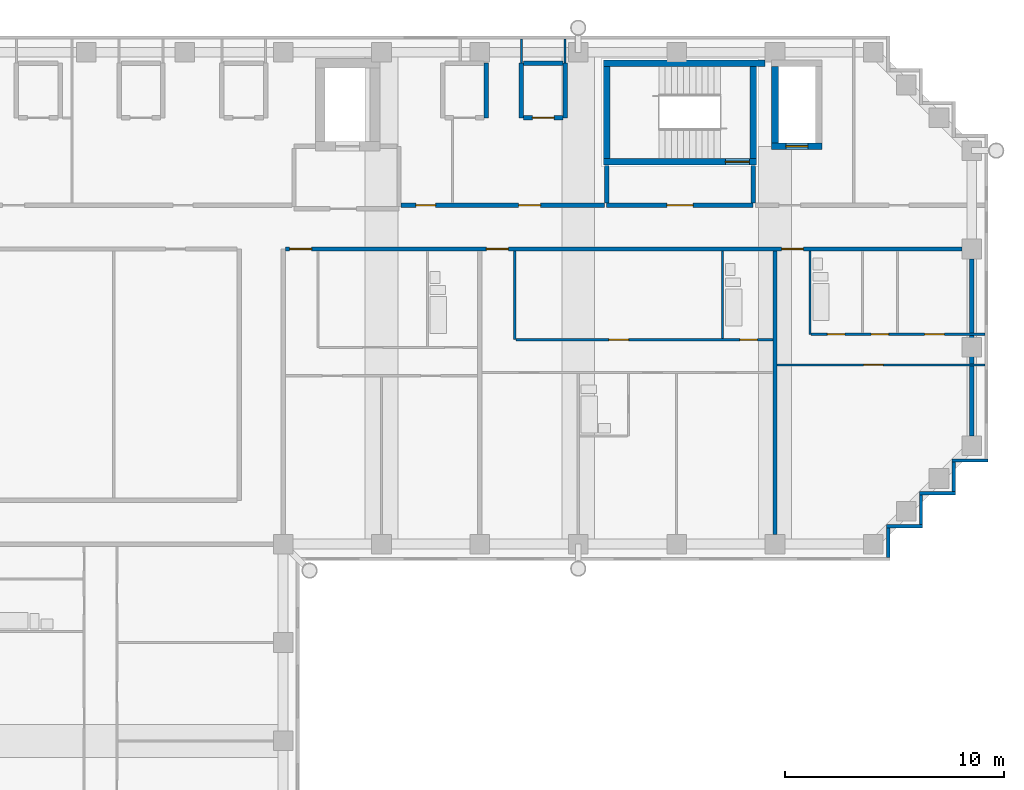
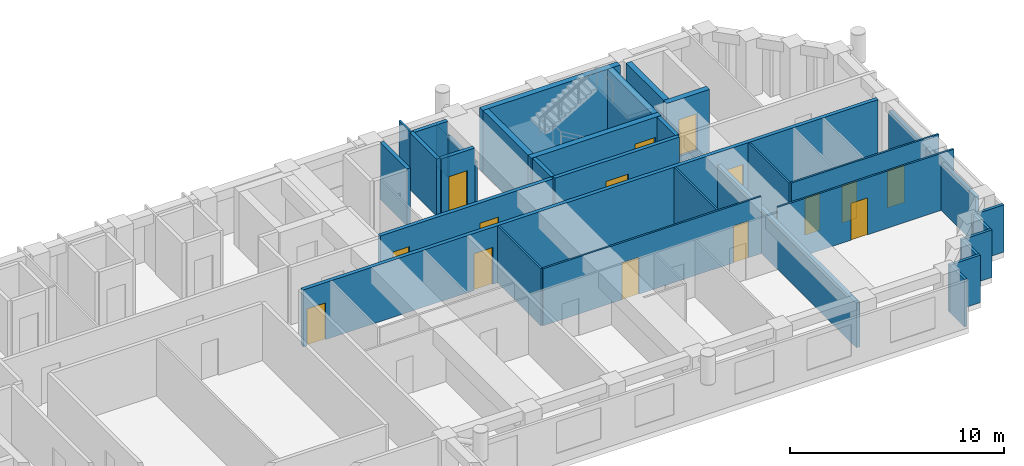
# One storey, part 7 of 11: 32 walls, 15 doors, 15 openings.
"""IFC4 building model written with IfcOpenShell, lengths in metres."""

import ifcopenshell
import ifcopenshell.guid

model = None  # the IFC model being written
_history = None  # IfcOwnerHistory: only IFC2X3 demands one
_inside = {}  # id of a spatial element -> (the spatial element, [elements in it])
_under = {}  # id of a project, library or spatial element -> (it, [spatial elements below it])
_declared = {}  # id of a project -> (the project, [libraries it declares])
_typed = {}  # id of a type object -> (the type object, [elements of that type])
_made_of = {}  # id of a material, layer set ... -> (it, [elements and type objects made of it])


def new_model(schema):
    """Start an empty IFC model of exactly this schema.

    Asked for "IFC4X3", IfcOpenShell would pick the latest addendum, in which some entities
    have other attributes; the version numbers below select the first issue.
    IFC2X3 requires an IfcOwnerHistory on every rooted entity: one is made here for all.
    """
    global model, _history
    if schema == "IFC4X3":
        model = ifcopenshell.file(schema_version=(4, 3, 0, 0))
    else:
        model = ifcopenshell.file(schema=schema)
    _inside.clear()
    _under.clear()
    _declared.clear()
    _typed.clear()
    _made_of.clear()
    _history = None
    if model.schema == "IFC2X3":
        org = make("IfcOrganization", Name="unknown")
        user = make(
            "IfcPersonAndOrganization",
            ThePerson=make("IfcPerson", FamilyName="unknown"),
            TheOrganization=org,
        )
        app = make(
            "IfcApplication",
            ApplicationDeveloper=org,
            Version="unknown",
            ApplicationFullName="unknown",
            ApplicationIdentifier="unknown",
        )
        _history = make(
            "IfcOwnerHistory",
            OwningUser=user,
            OwningApplication=app,
            ChangeAction="ADDED",
            CreationDate=0,
        )
    return model


def make(cls, **values):
    """One entity of the class cls with the attributes given. An attribute that is None is left unset."""
    return model.create_entity(
        cls, **{name: value for name, value in values.items() if value is not None}
    )


def rooted(cls, **values):
    """An entity with a GlobalId (a new one), such as an element, a storey or a relation."""
    return make(cls, GlobalId=ifcopenshell.guid.new(), OwnerHistory=_history, **values)


def si_unit(unit_type, name, prefix=None):
    """IfcSIUnit, for example si_unit("LENGTHUNIT", "METRE", prefix="MILLI")."""
    return make("IfcSIUnit", UnitType=unit_type, Prefix=prefix, Name=name)


def assignment(units):
    """IfcUnitAssignment: the units of a project."""
    return None if units is None else make("IfcUnitAssignment", Units=units)


def point(xyz):
    """IfcCartesianPoint."""
    return None if xyz is None else make("IfcCartesianPoint", Coordinates=xyz)


def direction(xyz):
    """IfcDirection."""
    return None if xyz is None else make("IfcDirection", DirectionRatios=xyz)


def frame(location, z_axis=None, x_axis=None):
    """IfcAxis2Placement3D, a coordinate frame: its origin and axes. An axis left out is left unset."""
    return make(
        "IfcAxis2Placement3D",
        Location=point(location),
        Axis=direction(z_axis),
        RefDirection=direction(x_axis),
    )


def frame_2d(location, x_axis=None):
    """IfcAxis2Placement2D, a coordinate frame in the plane: its origin and x axis."""
    return make(
        "IfcAxis2Placement2D", Location=point(location), RefDirection=direction(x_axis)
    )


def origin():
    """The frame at (0, 0, 0) with its axes left unset."""
    return frame((0.0, 0.0, 0.0))


def place(relative_to, where):
    """IfcLocalPlacement: puts the frame where relative to a parent placement (None: the world)."""
    return make(
        "IfcLocalPlacement", PlacementRelTo=relative_to, RelativePlacement=where
    )


def context(
    kind, dimensions, precision=None, world=None, true_north=None, identifier=None
):
    """IfcGeometricRepresentationContext, for example the 3D "Model" context."""
    return make(
        "IfcGeometricRepresentationContext",
        ContextIdentifier=identifier,
        ContextType=kind,
        CoordinateSpaceDimension=dimensions,
        Precision=precision,
        WorldCoordinateSystem=world,
        TrueNorth=true_north,
    )


def subcontext(parent, identifier, kind, view, scale=None):
    """IfcGeometricRepresentationSubContext, for example "Body" below "Model"."""
    return make(
        "IfcGeometricRepresentationSubContext",
        ContextIdentifier=identifier,
        ContextType=kind,
        ParentContext=parent,
        TargetScale=scale,
        TargetView=view,
    )


def project(units=None, contexts=None):
    """IfcProject with its units and contexts."""
    return rooted(
        "IfcProject",
        Name="project",
        RepresentationContexts=contexts,
        UnitsInContext=assignment(units),
    )


def spatial(cls, under=None, at=None, **own):
    """A site, building, storey or space (cls), placed at a placement, below another one or the project."""
    s = rooted(cls, ObjectPlacement=at, **own)
    if under is not None:
        _under.setdefault(under.id(), (under, []))[1].append(s)
    return s


def profile(cls, at=None, kind="AREA", **sizes):
    """A parametric profile (cls). Its sizes go by their IFC names, for example OverallWidth=200.0."""
    return make(cls, ProfileType=kind, Position=at, **sizes)


def rectangle(**sizes):
    """IfcRectangleProfileDef."""
    return profile("IfcRectangleProfileDef", **sizes)


def extrude(swept, where, along, depth):
    """IfcExtrudedAreaSolid: the profile swept, set in the frame where, extruded along a direction by depth."""
    return make(
        "IfcExtrudedAreaSolid",
        SweptArea=swept,
        Position=where,
        ExtrudedDirection=direction(along),
        Depth=depth,
    )


def shape(context_of_items, identifier, shape_type, items):
    """IfcShapeRepresentation: the items that make up one representation, for example the "Body"."""
    return make(
        "IfcShapeRepresentation",
        ContextOfItems=context_of_items,
        RepresentationIdentifier=identifier,
        RepresentationType=shape_type,
        Items=items,
    )


def material(Name=None, Category=None):
    """IfcMaterial."""
    return make("IfcMaterial", Name=Name, Category=Category)


def layer(
    of_material, thickness, ventilated=None, Name=None, Category=None, Priority=None
):
    """IfcMaterialLayer: one layer of a wall or slab, of a material (None: an air gap)."""
    return make(
        "IfcMaterialLayer",
        Material=of_material,
        LayerThickness=thickness,
        IsVentilated=ventilated,
        Name=Name,
        Category=Category,
        Priority=Priority,
    )


def layer_set(layers, Name=None):
    """IfcMaterialLayerSet."""
    return make("IfcMaterialLayerSet", MaterialLayers=layers, LayerSetName=Name)


def made_of(thing, what):
    """Note that an element or type object is made of a material, layer set ...; save() writes the relation."""
    if what is not None:
        _made_of.setdefault(what.id(), (what, []))[1].append(thing)
    return thing


def type_object(cls, material=None, **own):
    """A type object (cls), such as IfcWallType, which elements share."""
    return made_of(rooted(cls, **own), material)


def element(
    cls,
    number,
    at=None,
    inside=None,
    cuts=None,
    type_object=None,
    material=None,
    context=None,
    identifier="Body",
    shape_type=None,
    held_by="IfcProductDefinitionShape",
    body=None,
    shapes=None,
    **own,
):
    """One element of the class cls, such as IfcWall. Its Tag is "e" and its number.

    at: its placement. inside: the storey or other place that contains it. cuts: it is an
    opening in that element (IfcRelVoidsElement). A single representation is given by context,
    identifier, shape_type and body (its items); several are given by shapes. held_by: the class
    of the entity that holds the representations. save() writes the other relations.
    """
    e = rooted(cls, Tag="e%d" % number, ObjectPlacement=at, **own)
    if body is not None:
        shapes = [shape(context, identifier, shape_type, body)]
    if shapes is not None:
        e.Representation = make(held_by, Representations=shapes)
    if inside is not None:
        _inside.setdefault(inside.id(), (inside, []))[1].append(e)
    if cuts is not None:
        rooted(
            "IfcRelVoidsElement", RelatingBuildingElement=cuts, RelatedOpeningElement=e
        )
    if type_object is not None:
        _typed.setdefault(type_object.id(), (type_object, []))[1].append(e)
    return made_of(e, material)


def fill(opening, filler):
    """IfcRelFillsElement: the door or window that sits in an opening."""
    return rooted(
        "IfcRelFillsElement",
        RelatingOpeningElement=opening,
        RelatedBuildingElement=filler,
    )


def aggregate(whole, parts):
    """IfcRelAggregates: a whole, such as a stair, and the parts it consists of."""
    return rooted("IfcRelAggregates", RelatingObject=whole, RelatedObjects=parts)


def save(model, path):
    """Write the relations noted so far, then the file.

    IfcRelAggregates (storeys below a building ...), IfcRelContainedInSpatialStructure (elements
    in a storey), IfcRelDefinesByType, IfcRelAssociatesMaterial and IfcRelDeclares: one each for
    every whole, place, type object, material and project.
    """
    for whole, parts in _under.values():
        aggregate(whole, parts)
    for where, things in _inside.values():
        rooted(
            "IfcRelContainedInSpatialStructure",
            RelatedElements=things,
            RelatingStructure=where,
        )
    for kind, things in _typed.values():
        rooted("IfcRelDefinesByType", RelatedObjects=things, RelatingType=kind)
    for what, things in _made_of.values():
        rooted("IfcRelAssociatesMaterial", RelatedObjects=things, RelatingMaterial=what)
    for by, libraries in _declared.values():
        rooted("IfcRelDeclares", RelatingContext=by, RelatedDefinitions=libraries)
    model.write(path)


model = new_model("IFC4")

# Units and contexts
model_context = context("Model", 3, precision=1e-05, world=origin(), true_north=direction((0.0, 1.0)))
body_context = subcontext(model_context, "Body", "Model", "MODEL_VIEW")
ifc_project = project(units=[si_unit("LENGTHUNIT", "METRE"), si_unit("AREAUNIT", "SQUARE_METRE"), si_unit("VOLUMEUNIT", "CUBIC_METRE"), si_unit("PLANEANGLEUNIT", "RADIAN"), si_unit("MASSUNIT", "GRAM", prefix="KILO")], contexts=[model_context])

# Site, building, storey
site_placement = place(None, origin())
site = spatial("IfcSite", under=ifc_project, at=site_placement, CompositionType="ELEMENT")
building_placement = place(site_placement, origin())
building = spatial("IfcBuilding", under=site, at=building_placement, Name="Firuza Court", CompositionType="ELEMENT")
storey_placement = place(building_placement, frame((0.0, 0.0, 207.800048828125)))
storey = spatial("IfcBuildingStorey", under=building, at=storey_placement, Name="L53", CompositionType="ELEMENT", Elevation=207.800048828125)

# Walls
ifc_material_1 = material(Name="Moisture-resistant gypsum board partition")
ifc_layer_1 = layer(ifc_material_1, 0.10009765625)
ifc_layer_set_1 = layer_set([ifc_layer_1], Name="Moisture-resistant gypsum board partition")
wall_type_1 = type_object("IfcWallType", Name="Bathroom partition 100", PredefinedType="PLUMBINGWALL", material=ifc_layer_set_1)
wall_1_placement = place(storey_placement, frame((42.60009765625, 45.39990234375, 0.0), z_axis=(0.0, 0.0, 1.0), x_axis=(0.0, 1.0, 0.0)))
element("IfcWall", 1, at=wall_1_placement, inside=storey, type_object=wall_type_1, Name="Bathroom partition 100 L53", PredefinedType="PLUMBINGWALL", context=body_context, shape_type="SweptSolid", body=[
    extrude(rectangle(XDim=4.0, YDim=0.10009765625, at=frame_2d((2.0, 0.0))), origin(), (0.0, 0.0, 1.0), 3.25),
])
wall_2_placement = place(storey_placement, frame((46.60009765625, 45.60009765625, 0.0), z_axis=(0.0, 0.0, 1.0), x_axis=(0.0, 1.0, 0.0)))
element("IfcWall", 2, at=wall_2_placement, inside=storey, type_object=wall_type_1, Name="Bathroom partition 100 L53", PredefinedType="PLUMBINGWALL", context=body_context, shape_type="SweptSolid", body=[
    extrude(rectangle(XDim=3.7998046875, YDim=0.10009765625, at=frame_2d((1.89990234375, 0.0))), origin(), (0.0, 0.0, 1.0), 3.25),
])

# Wall, opening, door
ifc_material_2 = material(Name="Concrete C50/60", Category="concrete")
ifc_layer_2 = layer(ifc_material_2, 0.300048828125)
ifc_layer_set_2 = layer_set([ifc_layer_2], Name="Concrete C50/60")
wall_type_2 = type_object("IfcWallType", Name="Core wall 300 C50/60", PredefinedType="SHEAR", material=ifc_layer_set_2)
wall_3_placement = place(storey_placement, frame((37.14990234375, 53.5, -0.300048828125), z_axis=(0.0, 0.0, 1.0), x_axis=(1.0, 0.0, 0.0)))
wall_3 = element("IfcWall", 3, at=wall_3_placement, inside=storey, type_object=wall_type_2, Name="Core wall stair L53", PredefinedType="SHEAR", context=body_context, shape_type="SweptSolid", body=[
    extrude(rectangle(XDim=7.0, YDim=0.300048828125, at=frame_2d((3.5, 0.0))), origin(), (0.0, 0.0, 1.0), 3.550048828125),
])
opening_1_placement = place(wall_3_placement, frame((5.580078125, 0.0, 0.300048828125)))
opening_1 = element("IfcOpeningElement", 4, at=opening_1_placement, cuts=wall_3, Name="Opening D53011", PredefinedType="OPENING", context=body_context, shape_type="SweptSolid", body=[
    extrude(rectangle(XDim=1.10009765625, YDim=2.10009765625, at=frame_2d((0.550048828125, 1.050048828125))), frame((0.0, 0.162109375, 0.0), z_axis=(0.0, -1.0, 0.0), x_axis=(1.0, 0.0, 0.0)), (0.0, 0.0, 1.0), 0.323974609375),
])
ifc_material_3 = material(Name="Timber door leaf in hardwood frame", Category="wood")
door_type_1 = type_object("IfcDoorType", Name="Stair door 1100", OperationType="SINGLE_SWING_LEFT", PredefinedType="DOOR", material=ifc_material_3)
door_1_placement = place(opening_1_placement, origin())
door_1 = element("IfcDoor", 5, at=door_1_placement, inside=storey, type_object=door_type_1, Name="Stair door S1", OperationType="SINGLE_SWING_RIGHT", OverallHeight=2.10009765625, OverallWidth=1.10009765625, PredefinedType="DOOR", context=body_context, shape_type="SweptSolid", body=[
    extrude(rectangle(XDim=1.10009765625, YDim=2.10009765625, at=frame_2d((0.550048828125, 1.050048828125))), frame((0.0, 0.02490234375, 0.0), z_axis=(0.0, -1.0, 0.0), x_axis=(1.0, 0.0, 0.0)), (0.0, 0.0, 1.0), 0.050048828125),
])
fill(opening_1, door_1)

# Walls
wall_4_placement = place(storey_placement, frame((37.14990234375, 58.0, -0.300048828125), z_axis=(0.0, 0.0, 1.0), x_axis=(1.0, 0.0, 0.0)))
element("IfcWall", 6, at=wall_4_placement, inside=storey, type_object=wall_type_2, Name="Core wall stair L53", PredefinedType="SHEAR", context=body_context, shape_type="SweptSolid", body=[
    extrude(rectangle(XDim=7.400146484375, YDim=0.300048828125, at=frame_2d((3.7001953125, 0.0))), origin(), (0.0, 0.0, 1.0), 3.550048828125),
])
for number, where, z_axis, x_axis, name in (
    (7, (37.300048828125, 53.64990234375, -0.300048828125), (0.0, 0.0, 1.0), (0.0, 1.0, 0.0), "Core wall stair L53"),
    (8, (44.0, 53.64990234375, -0.300048828125), (0.0, 0.0, 1.0), (0.0, 1.0, 0.0), "Core wall stair L53"),
):
    element("IfcWall", number, at=place(storey_placement, frame(where, z_axis=z_axis, x_axis=x_axis)), inside=storey, type_object=wall_type_2, Name=name, PredefinedType="SHEAR", context=body_context, shape_type="SweptSolid", body=[
        extrude(rectangle(XDim=4.2001953125, YDim=0.300048828125, at=frame_2d((2.10009765625, 0.0))), origin(), (0.0, 0.0, 1.0), 3.550048828125),
    ])

# Wall, opening, door
wall_5_placement = place(storey_placement, frame((44.85009765625, 54.199951171875, -0.300048828125), z_axis=(0.0, 0.0, 1.0), x_axis=(1.0, 0.0, 0.0)))
wall_5 = element("IfcWall", 9, at=wall_5_placement, inside=storey, type_object=wall_type_2, Name="Core wall riser L53", PredefinedType="SHEAR", context=body_context, shape_type="SweptSolid", body=[
    extrude(rectangle(XDim=2.2998046875, YDim=0.300048828125, at=frame_2d((1.14990234375, 0.0))), origin(), (0.0, 0.0, 1.0), 3.550048828125),
])
opening_2_placement = place(wall_5_placement, frame((0.64990234375, 0.0, 0.300048828125)))
opening_2 = element("IfcOpeningElement", 10, at=opening_2_placement, cuts=wall_5, Name="Opening D53009", PredefinedType="OPENING", context=body_context, shape_type="SweptSolid", body=[
    extrude(rectangle(XDim=1.0, YDim=2.10009765625, at=frame_2d((0.5, 1.050048828125))), frame((0.0, 0.162109375, 0.0), z_axis=(0.0, -1.0, 0.0), x_axis=(1.0, 0.0, 0.0)), (0.0, 0.0, 1.0), 0.323974609375),
])
ifc_material_4 = material(Name="Timber door leaf in hardwood frame", Category="wood")
door_type_2 = type_object("IfcDoorType", Name="Riser door 1000", OperationType="SINGLE_SWING_LEFT", PredefinedType="DOOR", material=ifc_material_4)
door_2_placement = place(opening_2_placement, origin())
door_2 = element("IfcDoor", 11, at=door_2_placement, inside=storey, type_object=door_type_2, Name="Riser door R3", OperationType="SINGLE_SWING_LEFT", OverallHeight=2.10009765625, OverallWidth=1.0, PredefinedType="DOOR", context=body_context, shape_type="SweptSolid", body=[
    extrude(rectangle(XDim=1.0, YDim=2.10009765625, at=frame_2d((0.5, 1.050048828125))), frame((0.0, 0.02490234375, 0.0), z_axis=(0.0, -1.0, 0.0), x_axis=(1.0, 0.0, 0.0)), (0.0, 0.0, 1.0), 0.050048828125),
])
fill(opening_2, door_2)

# Wall
wall_6_placement = place(storey_placement, frame((45.0, 54.35009765625, -0.300048828125), z_axis=(0.0, 0.0, 1.0), x_axis=(0.0, 1.0, 0.0)))
element("IfcWall", 12, at=wall_6_placement, inside=storey, type_object=wall_type_2, Name="Core wall riser L53", PredefinedType="SHEAR", context=body_context, shape_type="SweptSolid", body=[
    extrude(rectangle(XDim=3.5, YDim=0.300048828125, at=frame_2d((1.75, 0.0))), origin(), (0.0, 0.0, 1.0), 3.550048828125),
])

# Wall, openings, doors
ifc_material_5 = material(Name="Blockwork, plastered both sides", Category="masonry")
ifc_layer_3 = layer(ifc_material_5, 0.199951171875)
ifc_layer_set_3 = layer_set([ifc_layer_3], Name="Blockwork, plastered both sides")
wall_type_3 = type_object("IfcWallType", Name="Corridor wall 200", PredefinedType="PARTITIONING", material=ifc_layer_set_3)
wall_7_placement = place(storey_placement, frame((22.60009765625, 49.5, 0.0), z_axis=(0.0, 0.0, 1.0), x_axis=(1.0, 0.0, 0.0)))
wall_7 = element("IfcWall", 13, at=wall_7_placement, inside=storey, type_object=wall_type_3, Name="Corridor wall 200 L53", PredefinedType="PARTITIONING", context=body_context, shape_type="SweptSolid", body=[
    extrude(rectangle(XDim=30.949951171875, YDim=0.199951171875, at=frame_2d((15.47509765625, 0.0))), origin(), (0.0, 0.0, 1.0), 3.25),
])
opening_3_placement = place(wall_7_placement, frame((0.199951171875, 0.0, 0.0)))
opening_3 = element("IfcOpeningElement", 14, at=opening_3_placement, cuts=wall_7, Name="Opening D53050", PredefinedType="OPENING", context=body_context, shape_type="SweptSolid", body=[
    extrude(rectangle(XDim=1.0, YDim=2.10009765625, at=frame_2d((0.5, 1.050048828125))), frame((0.0, 0.11181640625, 0.0), z_axis=(0.0, -1.0, 0.0), x_axis=(1.0, 0.0, 0.0)), (0.0, 0.0, 1.0), 0.223876953125),
])
opening_4_placement = place(wall_7_placement, frame((9.199951171875, 0.0, 0.0)))
opening_4 = element("IfcOpeningElement", 15, at=opening_4_placement, cuts=wall_7, Name="Opening D53051", PredefinedType="OPENING", context=body_context, shape_type="SweptSolid", body=[
    extrude(rectangle(XDim=1.0, YDim=2.10009765625, at=frame_2d((0.5, 1.050048828125))), frame((0.0, 0.11181640625, 0.0), z_axis=(0.0, -1.0, 0.0), x_axis=(1.0, 0.0, 0.0)), (0.0, 0.0, 1.0), 0.223876953125),
])
opening_5_placement = place(wall_7_placement, frame((22.699951171875, 0.0, 0.0)))
opening_5 = element("IfcOpeningElement", 16, at=opening_5_placement, cuts=wall_7, Name="Opening D53052", PredefinedType="OPENING", context=body_context, shape_type="SweptSolid", body=[
    extrude(rectangle(XDim=1.0, YDim=2.10009765625, at=frame_2d((0.5, 1.050048828125))), frame((0.0, 0.11181640625, 0.0), z_axis=(0.0, -1.0, 0.0), x_axis=(1.0, 0.0, 0.0)), (0.0, 0.0, 1.0), 0.223876953125),
])
ifc_material_6 = material(Name="Timber door leaf in hardwood frame", Category="wood")
door_type_3 = type_object("IfcDoorType", Name="Flat entrance door 1000", OperationType="SINGLE_SWING_LEFT", PredefinedType="DOOR", material=ifc_material_6)
door_3_placement = place(opening_3_placement, origin())
door_3 = element("IfcDoor", 17, at=door_3_placement, inside=storey, type_object=door_type_3, Name="Flat entrance door", OperationType="SINGLE_SWING_LEFT", OverallHeight=2.10009765625, OverallWidth=1.0, PredefinedType="DOOR", context=body_context, shape_type="SweptSolid", body=[
    extrude(rectangle(XDim=1.0, YDim=2.10009765625, at=frame_2d((0.5, 1.050048828125))), frame((0.0, 0.02490234375, 0.0), z_axis=(0.0, -1.0, 0.0), x_axis=(1.0, 0.0, 0.0)), (0.0, 0.0, 1.0), 0.050048828125),
])
fill(opening_3, door_3)
door_4_placement = place(opening_4_placement, origin())
door_4 = element("IfcDoor", 18, at=door_4_placement, inside=storey, type_object=door_type_3, Name="Flat entrance door", OperationType="SINGLE_SWING_LEFT", OverallHeight=2.10009765625, OverallWidth=1.0, PredefinedType="DOOR", context=body_context, shape_type="SweptSolid", body=[
    extrude(rectangle(XDim=1.0, YDim=2.10009765625, at=frame_2d((0.5, 1.050048828125))), frame((0.0, 0.02490234375, 0.0), z_axis=(0.0, -1.0, 0.0), x_axis=(1.0, 0.0, 0.0)), (0.0, 0.0, 1.0), 0.050048828125),
])
fill(opening_4, door_4)
door_5_placement = place(opening_5_placement, origin())
door_5 = element("IfcDoor", 19, at=door_5_placement, inside=storey, type_object=door_type_3, Name="Flat entrance door", OperationType="SINGLE_SWING_LEFT", OverallHeight=2.10009765625, OverallWidth=1.0, PredefinedType="DOOR", context=body_context, shape_type="SweptSolid", body=[
    extrude(rectangle(XDim=1.0, YDim=2.10009765625, at=frame_2d((0.5, 1.050048828125))), frame((0.0, 0.02490234375, 0.0), z_axis=(0.0, -1.0, 0.0), x_axis=(1.0, 0.0, 0.0)), (0.0, 0.0, 1.0), 0.050048828125),
])
fill(opening_5, door_5)

wall_8_placement = place(storey_placement, frame((27.89990234375, 51.5, 0.0), z_axis=(0.0, 0.0, 1.0), x_axis=(1.0, 0.0, 0.0)))
wall_8 = element("IfcWall", 20, at=wall_8_placement, inside=storey, type_object=wall_type_3, Name="Corridor wall 200 L53", PredefinedType="PARTITIONING", context=body_context, shape_type="SweptSolid", body=[
    extrude(rectangle(XDim=9.300048828125, YDim=0.199951171875, at=frame_2d((4.64990234375, 0.0))), origin(), (0.0, 0.0, 1.0), 3.25),
])
opening_6_placement = place(wall_8_placement, frame((0.675048828125, 0.0, 0.0)))
opening_6 = element("IfcOpeningElement", 21, at=opening_6_placement, cuts=wall_8, Name="Opening D53055", PredefinedType="OPENING", context=body_context, shape_type="SweptSolid", body=[
    extrude(rectangle(XDim=0.89990234375, YDim=2.10009765625, at=frame_2d((0.449951171875, 1.050048828125))), frame((0.0, 0.11181640625, 0.0), z_axis=(0.0, -1.0, 0.0), x_axis=(1.0, 0.0, 0.0)), (0.0, 0.0, 1.0), 0.223876953125),
])
opening_7_placement = place(wall_8_placement, frame((5.375, 0.0, 0.0)))
opening_7 = element("IfcOpeningElement", 22, at=opening_7_placement, cuts=wall_8, Name="Opening D53056", PredefinedType="OPENING", context=body_context, shape_type="SweptSolid", body=[
    extrude(rectangle(XDim=1.0, YDim=2.10009765625, at=frame_2d((0.5, 1.050048828125))), frame((0.0, 0.11181640625, 0.0), z_axis=(0.0, -1.0, 0.0), x_axis=(1.0, 0.0, 0.0)), (0.0, 0.0, 1.0), 0.223876953125),
])
ifc_material_7 = material(Name="Timber door leaf in hardwood frame", Category="wood")
door_type_4 = type_object("IfcDoorType", Name="Room door 900 EI 30", OperationType="SINGLE_SWING_LEFT", PredefinedType="DOOR", material=ifc_material_7)
door_6_placement = place(opening_6_placement, origin())
door_6 = element("IfcDoor", 23, at=door_6_placement, inside=storey, type_object=door_type_4, Name="Meeting room door", OperationType="SINGLE_SWING_LEFT", OverallHeight=2.10009765625, OverallWidth=0.89990234375, PredefinedType="DOOR", context=body_context, shape_type="SweptSolid", body=[
    extrude(rectangle(XDim=0.89990234375, YDim=2.10009765625, at=frame_2d((0.449951171875, 1.050048828125))), frame((0.0, 0.02490234375, 0.0), z_axis=(0.0, -1.0, 0.0), x_axis=(1.0, 0.0, 0.0)), (0.0, 0.0, 1.0), 0.050048828125),
])
fill(opening_6, door_6)
ifc_material_8 = material(Name="Timber door leaf in hardwood frame", Category="wood")
door_type_5 = type_object("IfcDoorType", Name="Store door 1000", OperationType="SINGLE_SWING_LEFT", PredefinedType="DOOR", material=ifc_material_8)
door_7_placement = place(opening_7_placement, origin())
door_7 = element("IfcDoor", 24, at=door_7_placement, inside=storey, type_object=door_type_5, Name="Electrical room door", OperationType="SINGLE_SWING_LEFT", OverallHeight=2.10009765625, OverallWidth=1.0, PredefinedType="DOOR", context=body_context, shape_type="SweptSolid", body=[
    extrude(rectangle(XDim=1.0, YDim=2.10009765625, at=frame_2d((0.5, 1.050048828125))), frame((0.0, 0.02490234375, 0.0), z_axis=(0.0, -1.0, 0.0), x_axis=(1.0, 0.0, 0.0)), (0.0, 0.0, 1.0), 0.050048828125),
])
fill(opening_7, door_7)

# Wall, opening, door
ifc_material_9 = material(Name="Timber stud partition, plasterboard both sides", Category="wood")
ifc_layer_4 = layer(ifc_material_9, 0.10009765625)
ifc_layer_set_4 = layer_set([ifc_layer_4], Name="Timber stud partition, plasterboard both sides")
wall_type_4 = type_object("IfcWallType", Name="Partition wall 100", PredefinedType="PARTITIONING", material=ifc_layer_set_4)
wall_9_placement = place(storey_placement, frame((45.10009765625, 44.199951171875, 0.0), z_axis=(0.0, 0.0, 1.0), x_axis=(1.0, 0.0, 0.0)))
wall_9 = element("IfcWall", 25, at=wall_9_placement, inside=storey, type_object=wall_type_4, Name="Partition wall 100 L53", PredefinedType="PARTITIONING", context=body_context, shape_type="SweptSolid", body=[
    extrude(rectangle(XDim=9.5, YDim=0.10009765625, at=frame_2d((4.75, 0.0))), origin(), (0.0, 0.0, 1.0), 3.25),
])
opening_8_placement = place(wall_9_placement, frame((3.949951171875, 0.0, 0.0)))
opening_8 = element("IfcOpeningElement", 26, at=opening_8_placement, cuts=wall_9, Name="Opening D53041", PredefinedType="OPENING", context=body_context, shape_type="SweptSolid", body=[
    extrude(rectangle(XDim=0.89990234375, YDim=2.10009765625, at=frame_2d((0.449951171875, 1.050048828125))), frame((0.0, 0.06201171875, 0.0), z_axis=(0.0, -1.0, 0.0), x_axis=(1.0, 0.0, 0.0)), (0.0, 0.0, 1.0), 0.1240234375),
])
ifc_material_10 = material(Name="Timber door leaf in hardwood frame", Category="wood")
door_type_6 = type_object("IfcDoorType", Name="Room door 900", OperationType="SINGLE_SWING_LEFT", PredefinedType="DOOR", material=ifc_material_10)
door_8_placement = place(opening_8_placement, frame((0.89990234375, 0.0, 0.0), z_axis=(0.0, 0.0, 1.0), x_axis=(-1.0, 0.0, 0.0)))
door_8 = element("IfcDoor", 27, at=door_8_placement, inside=storey, type_object=door_type_6, Name="Studio room door", OperationType="SINGLE_SWING_RIGHT", OverallHeight=2.10009765625, OverallWidth=0.89990234375, PredefinedType="DOOR", context=body_context, shape_type="SweptSolid", body=[
    extrude(rectangle(XDim=0.89990234375, YDim=2.10009765625, at=frame_2d((0.449951171875, 1.050048828125))), frame((0.0, 0.02490234375, 0.0), z_axis=(0.0, -1.0, 0.0), x_axis=(1.0, 0.0, 0.0)), (0.0, 0.0, 1.0), 0.050048828125),
])
fill(opening_8, door_8)

# Wall
wall_10_placement = place(storey_placement, frame((33.10009765625, 45.35009765625, 0.0), z_axis=(0.0, 0.0, 1.0), x_axis=(0.0, 1.0, 0.0)))
element("IfcWall", 28, at=wall_10_placement, inside=storey, type_object=wall_type_4, Name="Partition wall 100 L53", PredefinedType="PARTITIONING", context=body_context, shape_type="SweptSolid", body=[
    extrude(rectangle(XDim=4.0498046875, YDim=0.10009765625, at=frame_2d((2.02490234375, 0.0))), origin(), (0.0, 0.0, 1.0), 3.25),
])

# Wall, openings, doors
wall_11_placement = place(storey_placement, frame((33.14990234375, 45.35009765625, 0.0), z_axis=(0.0, 0.0, 1.0), x_axis=(1.0, 0.0, 0.0)))
wall_11 = element("IfcWall", 29, at=wall_11_placement, inside=storey, type_object=wall_type_4, Name="Partition wall 100 L53", PredefinedType="PARTITIONING", context=body_context, shape_type="SweptSolid", body=[
    extrude(rectangle(XDim=11.75, YDim=0.10009765625, at=frame_2d((5.875, 0.0))), origin(), (0.0, 0.0, 1.0), 3.25),
])
opening_9_placement = place(wall_11_placement, frame((10.25, 0.0, 0.0)))
opening_9 = element("IfcOpeningElement", 30, at=opening_9_placement, cuts=wall_11, Name="Opening D53044", PredefinedType="OPENING", context=body_context, shape_type="SweptSolid", body=[
    extrude(rectangle(XDim=0.800048828125, YDim=2.10009765625, at=frame_2d((0.39990234375, 1.050048828125))), frame((0.0, 0.06201171875, 0.0), z_axis=(0.0, -1.0, 0.0), x_axis=(1.0, 0.0, 0.0)), (0.0, 0.0, 1.0), 0.1240234375),
])
opening_10_placement = place(wall_11_placement, frame((4.25, 0.0, 0.0)))
opening_10 = element("IfcOpeningElement", 31, at=opening_10_placement, cuts=wall_11, Name="Opening D53045", PredefinedType="OPENING", context=body_context, shape_type="SweptSolid", body=[
    extrude(rectangle(XDim=0.89990234375, YDim=2.10009765625, at=frame_2d((0.449951171875, 1.050048828125))), frame((0.0, 0.06201171875, 0.0), z_axis=(0.0, -1.0, 0.0), x_axis=(1.0, 0.0, 0.0)), (0.0, 0.0, 1.0), 0.1240234375),
])
ifc_material_11 = material(Name="Timber door leaf in hardwood frame", Category="wood")
door_type_7 = type_object("IfcDoorType", Name="Bathroom door 800", OperationType="SINGLE_SWING_LEFT", PredefinedType="DOOR", material=ifc_material_11)
door_9_placement = place(opening_9_placement, origin())
door_9 = element("IfcDoor", 32, at=door_9_placement, inside=storey, type_object=door_type_7, Name="Bathroom door", OperationType="SINGLE_SWING_LEFT", OverallHeight=2.10009765625, OverallWidth=0.800048828125, PredefinedType="DOOR", context=body_context, shape_type="SweptSolid", body=[
    extrude(rectangle(XDim=0.800048828125, YDim=2.10009765625, at=frame_2d((0.39990234375, 1.050048828125))), frame((0.0, 0.02490234375, 0.0), z_axis=(0.0, -1.0, 0.0), x_axis=(1.0, 0.0, 0.0)), (0.0, 0.0, 1.0), 0.050048828125),
])
fill(opening_9, door_9)
door_10_placement = place(opening_10_placement, origin())
door_10 = element("IfcDoor", 33, at=door_10_placement, inside=storey, type_object=door_type_6, Name="Kitchen door", OperationType="SINGLE_SWING_LEFT", OverallHeight=2.10009765625, OverallWidth=0.89990234375, PredefinedType="DOOR", context=body_context, shape_type="SweptSolid", body=[
    extrude(rectangle(XDim=0.89990234375, YDim=2.10009765625, at=frame_2d((0.449951171875, 1.050048828125))), frame((0.0, 0.02490234375, 0.0), z_axis=(0.0, -1.0, 0.0), x_axis=(1.0, 0.0, 0.0)), (0.0, 0.0, 1.0), 0.050048828125),
])
fill(opening_10, door_10)

wall_12_placement = place(storey_placement, frame((46.64990234375, 45.60009765625, 0.0), z_axis=(0.0, 0.0, 1.0), x_axis=(1.0, 0.0, 0.0)))
wall_12 = element("IfcWall", 34, at=wall_12_placement, inside=storey, type_object=wall_type_4, Name="Partition wall 100 L53", PredefinedType="PARTITIONING", context=body_context, shape_type="SweptSolid", body=[
    extrude(rectangle(XDim=7.9501953125, YDim=0.10009765625, at=frame_2d((3.97509765625, 0.0))), origin(), (0.0, 0.0, 1.0), 3.25),
])
opening_11_placement = place(wall_12_placement, frame((0.75, 0.0, 0.0)))
opening_11 = element("IfcOpeningElement", 35, at=opening_11_placement, cuts=wall_12, Name="Opening D53046", PredefinedType="OPENING", context=body_context, shape_type="SweptSolid", body=[
    extrude(rectangle(XDim=0.800048828125, YDim=2.10009765625, at=frame_2d((0.39990234375, 1.050048828125))), frame((0.0, 0.06201171875, 0.0), z_axis=(0.0, -1.0, 0.0), x_axis=(1.0, 0.0, 0.0)), (0.0, 0.0, 1.0), 0.1240234375),
])
opening_12_placement = place(wall_12_placement, frame((5.199951171875, 0.0, 0.0)))
opening_12 = element("IfcOpeningElement", 36, at=opening_12_placement, cuts=wall_12, Name="Opening D53047", PredefinedType="OPENING", context=body_context, shape_type="SweptSolid", body=[
    extrude(rectangle(XDim=0.89990234375, YDim=2.10009765625, at=frame_2d((0.449951171875, 1.050048828125))), frame((0.0, 0.06201171875, 0.0), z_axis=(0.0, -1.0, 0.0), x_axis=(1.0, 0.0, 0.0)), (0.0, 0.0, 1.0), 0.1240234375),
])
opening_13_placement = place(wall_12_placement, frame((2.75, 0.0, 0.0)))
opening_13 = element("IfcOpeningElement", 37, at=opening_13_placement, cuts=wall_12, Name="Opening D53048", PredefinedType="OPENING", context=body_context, shape_type="SweptSolid", body=[
    extrude(rectangle(XDim=0.800048828125, YDim=2.10009765625, at=frame_2d((0.39990234375, 1.050048828125))), frame((0.0, 0.06201171875, 0.0), z_axis=(0.0, -1.0, 0.0), x_axis=(1.0, 0.0, 0.0)), (0.0, 0.0, 1.0), 0.1240234375),
])
door_11_placement = place(opening_11_placement, origin())
door_11 = element("IfcDoor", 38, at=door_11_placement, inside=storey, type_object=door_type_7, Name="Bathroom door", OperationType="SINGLE_SWING_LEFT", OverallHeight=2.10009765625, OverallWidth=0.800048828125, PredefinedType="DOOR", context=body_context, shape_type="SweptSolid", body=[
    extrude(rectangle(XDim=0.800048828125, YDim=2.10009765625, at=frame_2d((0.39990234375, 1.050048828125))), frame((0.0, 0.02490234375, 0.0), z_axis=(0.0, -1.0, 0.0), x_axis=(1.0, 0.0, 0.0)), (0.0, 0.0, 1.0), 0.050048828125),
])
fill(opening_11, door_11)
ifc_material_12 = material(Name="Timber door leaf in hardwood frame", Category="wood")
door_type_8 = type_object("IfcDoorType", Name="Room door 800", OperationType="SINGLE_SWING_LEFT", PredefinedType="DOOR", material=ifc_material_12)
door_12_placement = place(opening_13_placement, origin())
door_12 = element("IfcDoor", 39, at=door_12_placement, inside=storey, type_object=door_type_8, Name="Store door", OperationType="SINGLE_SWING_LEFT", OverallHeight=2.10009765625, OverallWidth=0.800048828125, PredefinedType="DOOR", context=body_context, shape_type="SweptSolid", body=[
    extrude(rectangle(XDim=0.800048828125, YDim=2.10009765625, at=frame_2d((0.39990234375, 1.050048828125))), frame((0.0, 0.02490234375, 0.0), z_axis=(0.0, -1.0, 0.0), x_axis=(1.0, 0.0, 0.0)), (0.0, 0.0, 1.0), 0.050048828125),
])
fill(opening_13, door_12)
door_13_placement = place(opening_12_placement, origin())
door_13 = element("IfcDoor", 40, at=door_13_placement, inside=storey, type_object=door_type_6, Name="Kitchen door", OperationType="SINGLE_SWING_LEFT", OverallHeight=2.10009765625, OverallWidth=0.89990234375, PredefinedType="DOOR", context=body_context, shape_type="SweptSolid", body=[
    extrude(rectangle(XDim=0.89990234375, YDim=2.10009765625, at=frame_2d((0.449951171875, 1.050048828125))), frame((0.0, 0.02490234375, 0.0), z_axis=(0.0, -1.0, 0.0), x_axis=(1.0, 0.0, 0.0)), (0.0, 0.0, 1.0), 0.050048828125),
])
fill(opening_12, door_13)

# Walls
wall_13_placement = place(storey_placement, frame((33.39990234375, 58.0, 0.0), z_axis=(0.0, 0.0, 1.0), x_axis=(0.0, 1.0, 0.0)))
element("IfcWall", 41, at=wall_13_placement, inside=storey, type_object=wall_type_4, Name="Partition wall 100 L53", PredefinedType="PARTITIONING", context=body_context, shape_type="SweptSolid", body=[
    extrude(rectangle(XDim=1.10009765625, YDim=0.10009765625, at=frame_2d((0.550048828125, 0.0))), origin(), (0.0, 0.0, 1.0), 3.25),
])
wall_14_placement = place(storey_placement, frame((35.39990234375, 58.0, 0.0), z_axis=(0.0, 0.0, 1.0), x_axis=(0.0, 1.0, 0.0)))
element("IfcWall", 42, at=wall_14_placement, inside=storey, type_object=wall_type_4, Name="Partition wall 100 L53", PredefinedType="PARTITIONING", context=body_context, shape_type="SweptSolid", body=[
    extrude(rectangle(XDim=1.10009765625, YDim=0.10009765625, at=frame_2d((0.550048828125, 0.0))), origin(), (0.0, 0.0, 1.0), 2.349853515625),
])
ifc_layer_5 = layer(ifc_material_5, 0.199951171875)
ifc_layer_set_5 = layer_set([ifc_layer_5], Name="Blockwork, plastered both sides")
wall_type_5 = type_object("IfcWallType", Name="Party wall 200", PredefinedType="PARTITIONING", material=ifc_layer_set_5)
wall_15_placement = place(storey_placement, frame((45.0, 36.449951171875, 0.0), z_axis=(0.0, 0.0, 1.0), x_axis=(0.0, 1.0, 0.0)))
element("IfcWall", 43, at=wall_15_placement, inside=storey, type_object=wall_type_5, Name="Party wall 200 L53", PredefinedType="PARTITIONING", context=body_context, shape_type="SweptSolid", body=[
    extrude(rectangle(XDim=12.949951171875, YDim=0.199951171875, at=frame_2d((6.47509765625, 0.0))), origin(), (0.0, 0.0, 1.0), 2.550048828125),
])
wall_16_placement = place(storey_placement, frame((54.0, 40.949951171875, 0.0), z_axis=(0.0, 0.0, 1.0), x_axis=(0.0, 1.0, 0.0)))
element("IfcWall", 44, at=wall_16_placement, inside=storey, type_object=wall_type_5, Name="Party wall 200 L53", PredefinedType="PARTITIONING", context=body_context, shape_type="SweptSolid", body=[
    extrude(rectangle(XDim=8.10009765625, YDim=0.199951171875, at=frame_2d((4.050048828125, 0.0))), origin(), (0.0, 0.0, 1.0), 2.699951171875),
])
ifc_material_13 = material(Name="Blockwork, fire-rated", Category="masonry")
ifc_layer_6 = layer(ifc_material_13, 0.199951171875)
ifc_layer_set_6 = layer_set([ifc_layer_6], Name="Blockwork, fire-rated")
wall_type_6 = type_object("IfcWallType", Name="Plant room wall 200", PredefinedType="PARTITIONING", material=ifc_layer_set_6)
for number, where, z_axis, x_axis, name in (
    (45, (31.800048828125, 55.5, 0.0), (0.0, 0.0, 1.0), (0.0, 1.0, 0.0), "Plant room wall 200 L53"),
    (46, (33.39990234375, 55.5, 0.0), (0.0, 0.0, 1.0), (0.0, 1.0, 0.0), "Plant room wall 200 L53"),
):
    element("IfcWall", number, at=place(storey_placement, frame(where, z_axis=z_axis, x_axis=x_axis)), inside=storey, type_object=wall_type_6, Name=name, PredefinedType="PARTITIONING", context=body_context, shape_type="SweptSolid", body=[
        extrude(rectangle(XDim=2.5, YDim=0.199951171875, at=frame_2d((1.25, 0.0))), origin(), (0.0, 0.0, 1.0), 3.25),
    ])

# Wall, opening, door
wall_17_placement = place(storey_placement, frame((33.5, 55.5, 0.0), z_axis=(0.0, 0.0, 1.0), x_axis=(1.0, 0.0, 0.0)))
wall_17 = element("IfcWall", 47, at=wall_17_placement, inside=storey, type_object=wall_type_6, Name="Plant room wall 200 L53", PredefinedType="PARTITIONING", context=body_context, shape_type="SweptSolid", body=[
    extrude(rectangle(XDim=1.800048828125, YDim=0.199951171875, at=frame_2d((0.89990234375, 0.0))), origin(), (0.0, 0.0, 1.0), 3.25),
])
opening_14_placement = place(wall_17_placement, frame((0.39990234375, 0.0, 0.0)))
opening_14 = element("IfcOpeningElement", 48, at=opening_14_placement, cuts=wall_17, Name="Opening D53063", PredefinedType="OPENING", context=body_context, shape_type="SweptSolid", body=[
    extrude(rectangle(XDim=1.0, YDim=2.10009765625, at=frame_2d((0.5, 1.050048828125))), frame((0.0, 0.11181640625, 0.0), z_axis=(0.0, -1.0, 0.0), x_axis=(1.0, 0.0, 0.0)), (0.0, 0.0, 1.0), 0.223876953125),
])
door_14_placement = place(opening_14_placement, origin())
door_14 = element("IfcDoor", 49, at=door_14_placement, inside=storey, type_object=door_type_2, Name="Duct riser door", OperationType="SINGLE_SWING_LEFT", OverallHeight=2.10009765625, OverallWidth=1.0, PredefinedType="DOOR", context=body_context, shape_type="SweptSolid", body=[
    extrude(rectangle(XDim=1.0, YDim=2.10009765625, at=frame_2d((0.5, 1.050048828125))), frame((0.0, 0.02490234375, 0.0), z_axis=(0.0, -1.0, 0.0), x_axis=(1.0, 0.0, 0.0)), (0.0, 0.0, 1.0), 0.050048828125),
])
fill(opening_14, door_14)

# Walls
wall_18_placement = place(storey_placement, frame((35.39990234375, 55.5, 0.0), z_axis=(0.0, 0.0, 1.0), x_axis=(0.0, 1.0, 0.0)))
element("IfcWall", 50, at=wall_18_placement, inside=storey, type_object=wall_type_6, Name="Plant room wall 200 L53", PredefinedType="PARTITIONING", context=body_context, shape_type="SweptSolid", body=[
    extrude(rectangle(XDim=2.5, YDim=0.199951171875, at=frame_2d((1.25, 0.0))), origin(), (0.0, 0.0, 1.0), 2.349853515625),
])
wall_19_placement = place(storey_placement, frame((33.5, 58.0, 0.0), z_axis=(0.0, 0.0, 1.0), x_axis=(1.0, 0.0, 0.0)))
element("IfcWall", 51, at=wall_19_placement, inside=storey, type_object=wall_type_6, Name="Plant room wall 200 L53", PredefinedType="PARTITIONING", context=body_context, shape_type="SweptSolid", body=[
    extrude(rectangle(XDim=1.800048828125, YDim=0.199951171875, at=frame_2d((0.89990234375, 0.0))), origin(), (0.0, 0.0, 1.0), 3.25),
])
ifc_material_14 = material(Name="Ceramic tile", Category="ceramic")
ifc_layer_7 = layer(ifc_material_14, 0.02001953125)
ifc_material_15 = material(Name="Mineral wool insulation", Category="insulation")
ifc_layer_8 = layer(ifc_material_15, 0.050048828125)
ifc_material_16 = material(Name="Concrete C40/50 precast", Category="concrete")
ifc_layer_9 = layer(ifc_material_16, 0.080078125)
ifc_layer_set_7 = layer_set([ifc_layer_7, ifc_layer_8, ifc_layer_9], Name="Concrete C40/50 precast")
wall_type_7 = type_object("IfcWallType", Name="Precast cladding wall with turquoise TILE PANEL face 150", PredefinedType="STANDARD", material=ifc_layer_set_7)
wall_20_placement = place(storey_placement, frame((50.175048828125, 35.39990234375, 0.0), z_axis=(0.0, 0.0, 1.0), x_axis=(0.0, 1.0, 0.0)))
element("IfcWall", 52, at=wall_20_placement, inside=storey, type_object=wall_type_7, Name="Facade wall L53 E", PredefinedType="STANDARD", context=body_context, shape_type="SweptSolid", body=[
    extrude(rectangle(XDim=1.35009765625, YDim=0.14990234375, at=frame_2d((0.675048828125, 0.0))), origin(), (0.0, 0.0, 1.0), 2.699951171875),
])
wall_21_placement = place(storey_placement, frame((50.10009765625, 36.824951171875, 0.0), z_axis=(0.0, 0.0, 1.0), x_axis=(1.0, 0.0, 0.0)))
element("IfcWall", 53, at=wall_21_placement, inside=storey, type_object=wall_type_7, Name="Facade wall L53 S", PredefinedType="STANDARD", context=body_context, shape_type="SweptSolid", body=[
    extrude(rectangle(XDim=1.64990234375, YDim=0.14990234375, at=frame_2d((0.824951171875, 0.0))), origin(), (0.0, 0.0, 1.0), 2.699951171875),
])
wall_22_placement = place(storey_placement, frame((51.675048828125, 36.89990234375, 0.0), z_axis=(0.0, 0.0, 1.0), x_axis=(0.0, 1.0, 0.0)))
element("IfcWall", 54, at=wall_22_placement, inside=storey, type_object=wall_type_7, Name="Facade wall L53 E", PredefinedType="STANDARD", context=body_context, shape_type="SweptSolid", body=[
    extrude(rectangle(XDim=1.35009765625, YDim=0.14990234375, at=frame_2d((0.675048828125, 0.0))), origin(), (0.0, 0.0, 1.0), 2.699951171875),
])
wall_23_placement = place(storey_placement, frame((51.60009765625, 38.324951171875, 0.0), z_axis=(0.0, 0.0, 1.0), x_axis=(1.0, 0.0, 0.0)))
element("IfcWall", 55, at=wall_23_placement, inside=storey, type_object=wall_type_7, Name="Facade wall L53 S", PredefinedType="STANDARD", context=body_context, shape_type="SweptSolid", body=[
    extrude(rectangle(XDim=1.64990234375, YDim=0.14990234375, at=frame_2d((0.824951171875, 0.0))), origin(), (0.0, 0.0, 1.0), 2.699951171875),
])
wall_24_placement = place(storey_placement, frame((53.175048828125, 38.39990234375, 0.0), z_axis=(0.0, 0.0, 1.0), x_axis=(0.0, 1.0, 0.0)))
element("IfcWall", 56, at=wall_24_placement, inside=storey, type_object=wall_type_7, Name="Facade wall L53 E", PredefinedType="STANDARD", context=body_context, shape_type="SweptSolid", body=[
    extrude(rectangle(XDim=1.35009765625, YDim=0.14990234375, at=frame_2d((0.675048828125, 0.0))), origin(), (0.0, 0.0, 1.0), 2.699951171875),
])
wall_25_placement = place(storey_placement, frame((53.10009765625, 39.824951171875, 0.0), z_axis=(0.0, 0.0, 1.0), x_axis=(1.0, 0.0, 0.0)))
element("IfcWall", 57, at=wall_25_placement, inside=storey, type_object=wall_type_7, Name="Facade wall L53 S", PredefinedType="STANDARD", context=body_context, shape_type="SweptSolid", body=[
    extrude(rectangle(XDim=1.64990234375, YDim=0.14990234375, at=frame_2d((0.824951171875, 0.0))), origin(), (0.0, 0.0, 1.0), 2.699951171875),
])

# Wall, opening, door
ifc_layer_10 = layer(ifc_material_13, 0.199951171875)
ifc_layer_set_8 = layer_set([ifc_layer_10], Name="Blockwork, fire-rated")
wall_type_8 = type_object("IfcWallType", Name="Shaft wall 200", PredefinedType="PARTITIONING", material=ifc_layer_set_8)
wall_26_placement = place(storey_placement, frame((37.300048828125, 51.5, 0.0), z_axis=(0.0, 0.0, 1.0), x_axis=(1.0, 0.0, 0.0)))
wall_26 = element("IfcWall", 58, at=wall_26_placement, inside=storey, type_object=wall_type_8, Name="Shaft wall 200 L53", PredefinedType="PARTITIONING", context=body_context, shape_type="SweptSolid", body=[
    extrude(rectangle(XDim=6.699951171875, YDim=0.199951171875, at=frame_2d((3.35009765625, 0.0))), origin(), (0.0, 0.0, 1.0), 3.25),
])
opening_15_placement = place(wall_26_placement, frame((2.75, 0.0, 0.0)))
opening_15 = element("IfcOpeningElement", 59, at=opening_15_placement, cuts=wall_26, Name="Opening D53006", PredefinedType="OPENING", context=body_context, shape_type="SweptSolid", body=[
    extrude(rectangle(XDim=1.199951171875, YDim=2.10009765625, at=frame_2d((0.60009765625, 1.050048828125))), frame((0.0, 0.11181640625, 0.0), z_axis=(0.0, -1.0, 0.0), x_axis=(1.0, 0.0, 0.0)), (0.0, 0.0, 1.0), 0.223876953125),
])
ifc_material_17 = material(Name="Timber door leaf in hardwood frame", Category="wood")
door_type_9 = type_object("IfcDoorType", Name="Lobby door 1200", OperationType="SINGLE_SWING_LEFT", PredefinedType="DOOR", material=ifc_material_17)
door_15_placement = place(opening_15_placement, origin())
door_15 = element("IfcDoor", 60, at=door_15_placement, inside=storey, type_object=door_type_9, Name="Lobby door", OperationType="SINGLE_SWING_LEFT", OverallHeight=2.10009765625, OverallWidth=1.199951171875, PredefinedType="DOOR", context=body_context, shape_type="SweptSolid", body=[
    extrude(rectangle(XDim=1.199951171875, YDim=2.10009765625, at=frame_2d((0.60009765625, 1.050048828125))), frame((0.0, 0.02490234375, 0.0), z_axis=(0.0, -1.0, 0.0), x_axis=(1.0, 0.0, 0.0)), (0.0, 0.0, 1.0), 0.050048828125),
])
fill(opening_15, door_15)

# Walls
for number, where, z_axis, x_axis, name in (
    (61, (44.0, 51.60009765625, 0.0), (0.0, 0.0, 1.0), (0.0, 1.0, 0.0), "Shaft wall 200 L53"),
    (62, (37.300048828125, 51.60009765625, 0.0), (0.0, 0.0, 1.0), (0.0, 1.0, 0.0), "Shaft wall 200 L53"),
):
    element("IfcWall", number, at=place(storey_placement, frame(where, z_axis=z_axis, x_axis=x_axis)), inside=storey, type_object=wall_type_8, Name=name, PredefinedType="PARTITIONING", context=body_context, shape_type="SweptSolid", body=[
        extrude(rectangle(XDim=1.72998046875, YDim=0.199951171875, at=frame_2d((0.864990234375, 0.0))), origin(), (0.0, 0.0, 1.0), 3.25),
    ])

save(model, "model.ifc")
